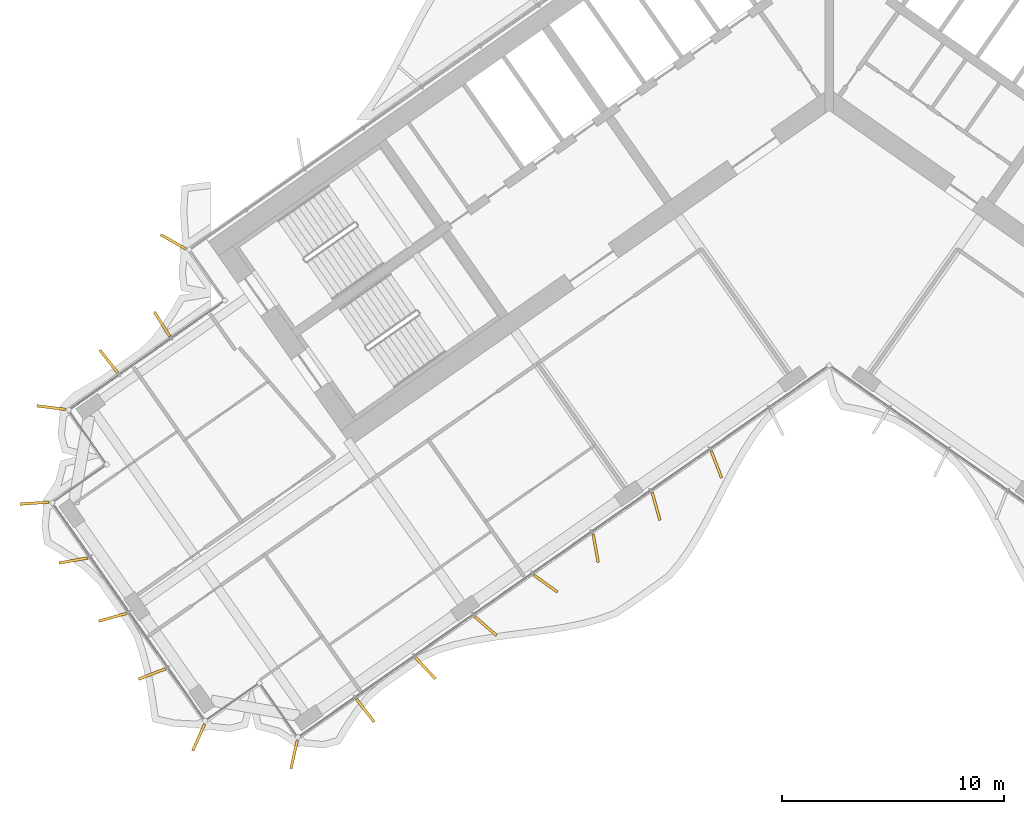
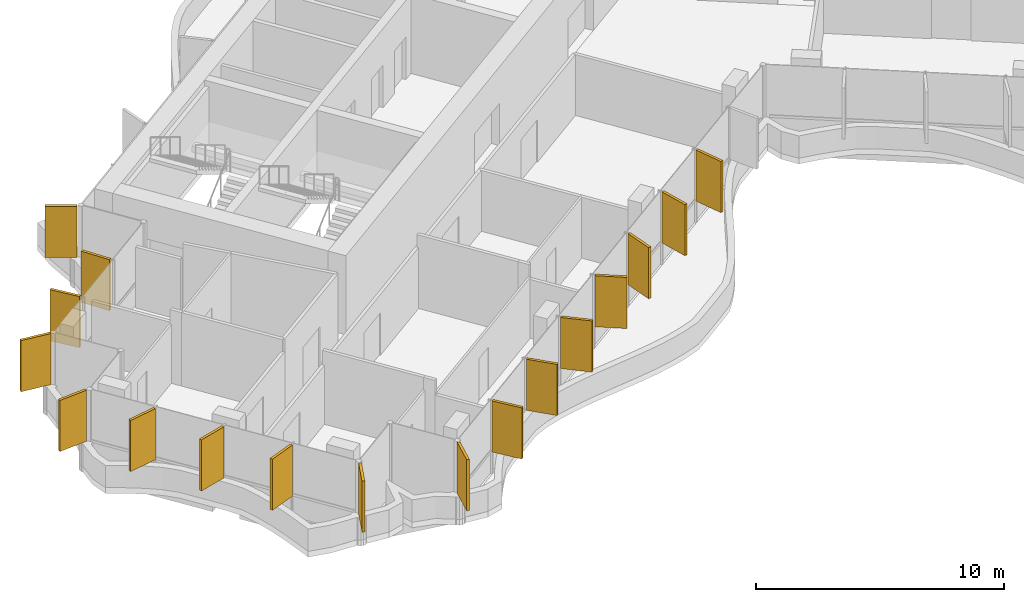
# One storey, part 17 of 21: 17 shading devices.
"""IFC4 building model written with IfcOpenShell, lengths in metres."""

from ifc_helpers import new_model, si_unit, direction, frame, origin, origin_2d, place, context, subcontext, project, spatial, rectangle, extrude, material, layer, layer_set, type_object, element, save


model = new_model("IFC4")

# Units and contexts
model_context = context("Model", 3, precision=1e-05, world=origin(), true_north=direction((0.0, 1.0)))
body_context = subcontext(model_context, "Body", "Model", "MODEL_VIEW")
ifc_project = project(units=[si_unit("LENGTHUNIT", "METRE"), si_unit("AREAUNIT", "SQUARE_METRE"), si_unit("VOLUMEUNIT", "CUBIC_METRE"), si_unit("PLANEANGLEUNIT", "RADIAN"), si_unit("MASSUNIT", "GRAM", prefix="KILO")], contexts=[model_context])

# Site, building, storey
site_placement = place(None, origin())
site = spatial("IfcSite", under=ifc_project, at=site_placement, CompositionType="ELEMENT")
building_placement = place(site_placement, origin())
building = spatial("IfcBuilding", under=site, at=building_placement, Name="Tel Ilan Convention Tower", CompositionType="ELEMENT")
storey_placement = place(building_placement, frame((0.0, 0.0, 210.0)))
storey = spatial("IfcBuildingStorey", under=building, at=storey_placement, Name="L49", CompositionType="ELEMENT", Elevation=210.0)

# Shading devices
ifc_material = material(Name="Aluminium, bronze anodised", Category="aluminium")
ifc_layer = layer(ifc_material, 0.1201171875)
ifc_layer_set = layer_set([ifc_layer], Name="FIN BRONZE 1300x120")
shading_device_type = type_object("IfcShadingDeviceType", Name="FIN BRONZE 1300x120", PredefinedType="USERDEFINED", material=ifc_layer_set)
for number, where, z_axis, x_axis, name in (
    (1, (-29.5439453125, -7.13623046875, 1.10009765625), (0.0, 0.0, 1.0), (-0.870832754082, 0.491579408049, 0.0), "FIN"),
    (2, (-30.049072265625, -10.844970703125, 1.10009765625), (0.0, 0.0, 1.0), (-0.533204432798, 0.845986425922, 0.0), "FIN"),
    (3, (-32.44873046875, -12.525390625, 1.10009765625), (0.0, 0.0, 1.0), (-0.612600545196, 0.790392669516, 0.0), "FIN"),
    (4, (-35.044677734375, -14.603271484375, 1.10009765625), (0.0, 0.0, 1.0), (-0.992066016082, 0.125718016748, 0.0), "FIN"),
    (5, (-35.79638671875, -18.9052734375, 1.10009765625), (0.0, 0.0, 1.0), (-0.997697449973, -0.067821812994, 0.0), "FIN"),
    (6, (-34.04541015625, -21.4892578125, 1.10009765625), (0.0, 0.0, 1.0), (-0.984807753012, -0.173648177667, 0.0), "FIN"),
    (7, (-32.277587890625, -24.0458984375, 1.10009765625), (0.0, 0.0, 1.0), (-0.963370878614, -0.268172612768, 0.0), "FIN"),
    (8, (-30.503662109375, -26.600830078125, 1.10009765625), (0.0, 0.0, 1.0), (-0.932883704733, -0.360177724803, 0.0), "FIN"),
    (9, (-28.40234375, -29.46533203125, 1.10009765625), (0.0, 0.0, 1.0), (-0.404964282034, -0.914332505315, 0.0), "FIN"),
    (10, (-24.1025390625, -30.230224609375, 1.10009765625), (0.0, 0.0, 1.0), (-0.221170268371, -0.975235208752, 0.0), "FIN"),
    (11, (-20.896728515625, -28.245849609375, 1.10009765625), (0.0, 0.0, 1.0), (0.612600545196, -0.790392669516, 0.0), "FIN"),
    (12, (-18.18359375, -26.345458984375, 1.10009765625), (0.0, 0.0, 1.0), (0.686241637865, -0.727373641577, 0.0), "FIN"),
    (13, (-15.474609375, -24.44091796875, 1.10009765625), (0.0, 0.0, 1.0), (0.753435896329, -0.657521368568, 0.0), "FIN"),
    (14, (-12.770263671875, -22.531982421875, 1.10009765625), (0.0, 0.0, 1.0), (0.813552070258, -0.581492071294, 0.0), "FIN"),
    (15, (-10.52099609375, -20.9345703125, 1.10009765625), (0.0, 0.0, 1.0), (0.173648177667, -0.984807753012, 0.0), "FIN"),
    (16, (-7.800537109375, -19.05224609375, 1.10009765625), (0.0, 0.0, 1.0), (0.268172612768, -0.963370878614, 0.0), "FIN"),
    (17, (-5.08203125, -17.163818359375, 1.10009765625), (0.0, 0.0, 1.0), (0.360177724803, -0.932883704733, 0.0), "FIN"),
):
    element("IfcShadingDevice", number, at=place(storey_placement, frame(where, z_axis=z_axis, x_axis=x_axis)), inside=storey, type_object=shading_device_type, Name=name, ObjectType="FIN", PredefinedType="USERDEFINED", context=body_context, shape_type="SweptSolid", body=[
        extrude(rectangle(XDim=1.300048828125, YDim=0.1201171875, at=origin_2d()), origin(), (0.0, 0.0, 1.0), 2.52001953125),
    ])

save(model, "model.ifc")
